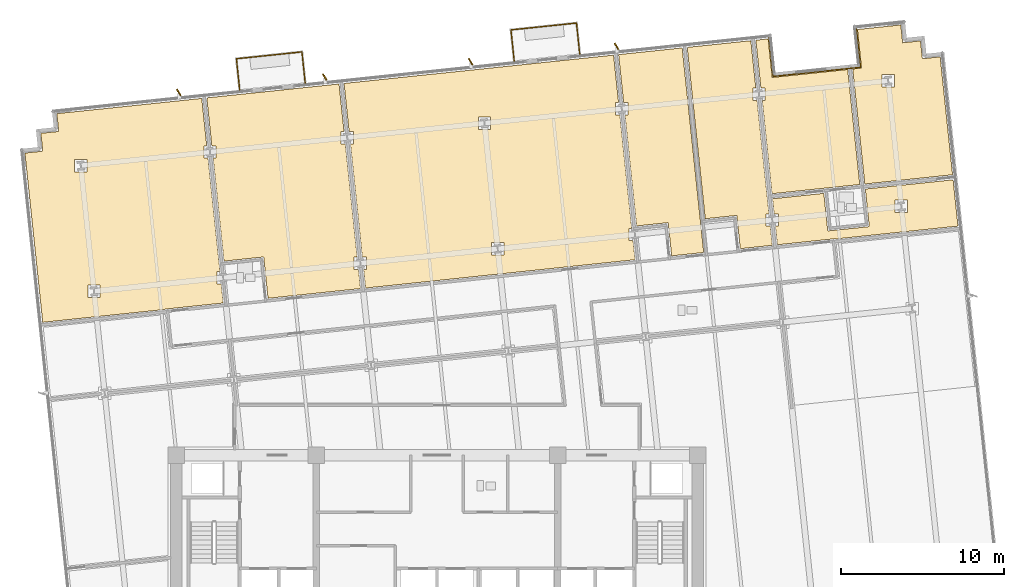
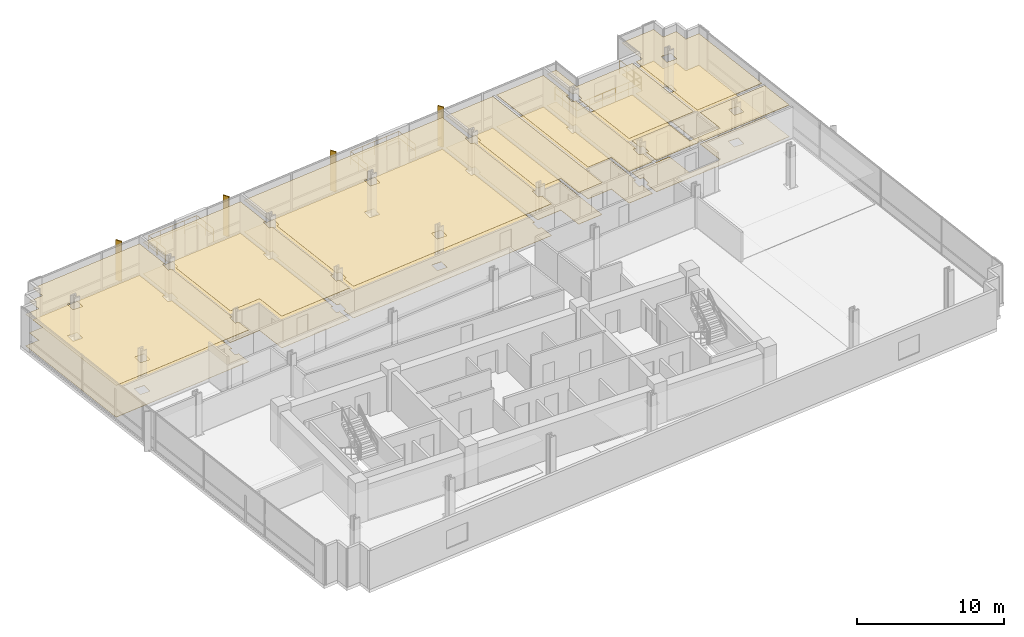
# One storey, part 19 of 20: 16 coverings, 9 railings, 4 shading devices.
"""IFC4 building model written with IfcOpenShell, lengths in metres."""

from ifc_helpers import new_model, si_unit, direction, frame, origin, origin_2d, place, context, subcontext, project, spatial, polyline, rectangle, circle, outline, extrude, material, layer, layer_set, type_object, element, save


model = new_model("IFC4")

# Units and contexts
model_context = context("Model", 3, precision=1e-05, world=origin(), true_north=direction((0.0, 1.0)))
body_context = subcontext(model_context, "Body", "Model", "MODEL_VIEW")
ifc_project = project(units=[si_unit("LENGTHUNIT", "METRE"), si_unit("AREAUNIT", "SQUARE_METRE"), si_unit("VOLUMEUNIT", "CUBIC_METRE"), si_unit("PLANEANGLEUNIT", "RADIAN"), si_unit("MASSUNIT", "GRAM", prefix="KILO")], contexts=[model_context])

# Site, building, storey
site_placement = place(None, origin())
site = spatial("IfcSite", under=ifc_project, at=site_placement, CompositionType="ELEMENT")
building_placement = place(site_placement, origin())
building = spatial("IfcBuilding", under=site, at=building_placement, Name="Solmavex Isthmus Hotel", CompositionType="ELEMENT")
storey_placement = place(building_placement, frame((0.0, 0.0, 109.800048828125)))
storey = spatial("IfcBuildingStorey", under=building, at=storey_placement, Name="L29", CompositionType="ELEMENT", Elevation=109.800048828125)

# Coverings
ifc_material_1 = material(Name="Gypsum plasterboard lining", Category="gypsum")
ifc_layer_1 = layer(ifc_material_1, 0.030029296875)
ifc_layer_set_1 = layer_set([ifc_layer_1], Name="Gypsum plasterboard lining")
covering_type_1 = type_object("IfcCoveringType", Name="COV-CEIL-GYP", PredefinedType="CEILING", material=ifc_layer_set_1)
covering_1_placement = place(storey_placement, frame((0.0, 0.0, 2.619873046875)))
element("IfcCovering", 1, at=covering_1_placement, inside=storey, type_object=covering_type_1, Name="Suspended Acoustic Ceiling L29-RM01", PredefinedType="CEILING", context=body_context, shape_type="SweptSolid", body=[
    extrude(outline(polyline([(-16.688232421875, 6.43505859375), (-16.690185546875, 6.455078125), (-13.10986328125, 6.831298828125), (-13.23291015625, 8.002197265625), (-13.4970703125, 8.002197265625), (-13.4970703125, 8.76220703125), (-13.31298828125, 8.76220703125), (-14.043212890625, 15.711669921875), (-14.307373046875, 15.711669921875), (-14.307373046875, 16.4716796875), (-14.123291015625, 16.4716796875), (-14.42919921875, 19.38232421875), (-22.49755859375, 18.5341796875), (-23.318115234375, 18.447998046875), (-23.203125, 17.35400390625), (-24.297119140625, 17.239013671875), (-24.18212890625, 16.14501953125), (-25.276123046875, 16.030029296875), (-25.18994140625, 15.20947265625), (-24.184814453125, 5.647216796875), (-16.688232421875, 6.43505859375)]), holes=[polyline([(-21.42138671875, 7.169189453125), (-21.42138671875, 7.92919921875), (-20.661376953125, 7.92919921875), (-20.661376953125, 7.169189453125), (-21.42138671875, 7.169189453125)]), polyline([(-22.231689453125, 14.878662109375), (-22.231689453125, 15.638671875), (-21.4716796875, 15.638671875), (-21.4716796875, 14.878662109375), (-22.231689453125, 14.878662109375)])]), origin(), (0.0, 0.0, 1.0), 0.030029296875),
])
covering_2_placement = place(storey_placement, frame((0.0, 0.0, 2.619873046875)))
element("IfcCovering", 2, at=covering_2_placement, inside=storey, type_object=covering_type_1, Name="Suspended Acoustic Ceiling L29-RM02", PredefinedType="CEILING", context=body_context, shape_type="SweptSolid", body=[
    extrude(outline(polyline([(-13.8115234375, 16.4716796875), (-13.54736328125, 16.4716796875), (-13.54736328125, 15.711669921875), (-13.731689453125, 15.711669921875), (-13.068115234375, 9.39990234375), (-10.631591796875, 9.656005859375), (-10.364990234375, 7.119873046875), (-4.6904296875, 7.71630859375), (-4.8134765625, 8.886962890625), (-5.077392578125, 8.886962890625), (-5.077392578125, 9.64697265625), (-4.893310546875, 9.64697265625), (-5.623779296875, 16.5966796875), (-5.8876953125, 16.5966796875), (-5.8876953125, 17.356689453125), (-5.70361328125, 17.356689453125), (-6.009521484375, 20.26708984375), (-14.120849609375, 19.41455078125), (-13.927978515625, 17.5810546875), (-13.8115234375, 16.4716796875)])), origin(), (0.0, 0.0, 1.0), 0.030029296875),
])
covering_3_placement = place(storey_placement, frame((0.0, 0.0, 2.619873046875)))
element("IfcCovering", 3, at=covering_3_placement, inside=storey, type_object=covering_type_1, Name="Suspended Acoustic Ceiling L29-RM03", PredefinedType="CEILING", context=body_context, shape_type="SweptSolid", body=[
    extrude(outline(polyline([(-4.58154296875, 9.64697265625), (-4.3173828125, 9.64697265625), (-4.3173828125, 8.886962890625), (-4.501708984375, 8.886962890625), (-4.382080078125, 7.748779296875), (6.9794921875, 8.94287109375), (9.28173828125, 9.184814453125), (12.14892578125, 9.486083984375), (12.02587890625, 10.656982421875), (11.76171875, 10.656982421875), (11.76171875, 11.4169921875), (11.946044921875, 11.4169921875), (11.215576171875, 18.366455078125), (10.951416015625, 18.366455078125), (10.951416015625, 19.12646484375), (11.1357421875, 19.12646484375), (10.829833984375, 22.037109375), (-5.701171875, 20.299560546875), (-5.391845703125, 17.356689453125), (-5.127685546875, 17.356689453125), (-5.127685546875, 16.5966796875), (-5.31201171875, 16.5966796875), (-4.58154296875, 9.64697265625)]), holes=[polyline([(3.34228515625, 9.77197265625), (3.34228515625, 10.531982421875), (4.10205078125, 10.531982421875), (4.10205078125, 9.77197265625), (3.34228515625, 9.77197265625)]), polyline([(2.53173828125, 17.4814453125), (2.53173828125, 18.241455078125), (3.291748046875, 18.241455078125), (3.291748046875, 17.4814453125), (2.53173828125, 17.4814453125)])]), origin(), (0.0, 0.0, 1.0), 0.030029296875),
])
covering_4_placement = place(storey_placement, frame((0.0, 0.0, 2.619873046875)))
element("IfcCovering", 4, at=covering_4_placement, inside=storey, type_object=covering_type_1, Name="Suspended Acoustic Ceiling L29-RM04", PredefinedType="CEILING", context=body_context, shape_type="SweptSolid", body=[
    extrude(outline(polyline([(11.447509765625, 19.12646484375), (11.71142578125, 19.12646484375), (11.71142578125, 18.366455078125), (11.52734375, 18.366455078125), (11.71142578125, 16.614501953125), (12.242919921875, 11.557373046875), (14.179443359375, 11.760986328125), (14.393798828125, 9.72216796875), (16.358642578125, 9.9287109375), (15.03955078125, 22.4794921875), (11.13818359375, 22.0693359375), (11.447509765625, 19.12646484375)])), origin(), (0.0, 0.0, 1.0), 0.030029296875),
])
covering_5_placement = place(storey_placement, frame((0.0, 0.0, 2.619873046875)))
element("IfcCovering", 5, at=covering_5_placement, inside=storey, type_object=covering_type_1, Name="Suspended Acoustic Ceiling L29-RM05", PredefinedType="CEILING", context=body_context, shape_type="SweptSolid", body=[
    extrude(outline(polyline([(19.63525390625, 19.25146484375), (19.37109375, 19.25146484375), (19.37109375, 20.011474609375), (19.555419921875, 20.011474609375), (19.24951171875, 22.921875), (15.347900390625, 22.511962890625), (16.452880859375, 11.999755859375), (18.38916015625, 12.203369140625), (18.603515625, 10.16455078125), (20.568603515625, 10.37109375), (20.445556640625, 11.541748046875), (20.181396484375, 11.541748046875), (20.181396484375, 12.3017578125), (20.36572265625, 12.3017578125), (19.63525390625, 19.25146484375)])), origin(), (0.0, 0.0, 1.0), 0.030029296875),
])
covering_6_placement = place(storey_placement, frame((0.0, 0.0, 2.619873046875)))
element("IfcCovering", 6, at=covering_6_placement, inside=storey, type_object=covering_type_1, Name="Suspended Acoustic Ceiling L29-SH06-LV", PredefinedType="CEILING", context=body_context, shape_type="SweptSolid", body=[
    extrude(outline(polyline([(23.726806640625, 13.556640625), (20.580078125, 13.22607421875), (20.67724609375, 12.3017578125), (20.94140625, 12.3017578125), (20.94140625, 11.541748046875), (20.75732421875, 11.541748046875), (20.876953125, 10.403564453125), (24.45703125, 10.77978515625), (24.459228515625, 10.760009765625), (31.955810546875, 11.5478515625), (31.6572265625, 14.39013671875), (26.27294921875, 13.82421875), (26.51513671875, 11.51904296875), (23.96923828125, 11.25146484375), (23.726806640625, 13.556640625)]), holes=[polyline([(28.105712890625, 12.374755859375), (28.105712890625, 13.134765625), (28.86572265625, 13.134765625), (28.86572265625, 12.374755859375), (28.105712890625, 12.374755859375)])]), origin(), (0.0, 0.0, 1.0), 0.030029296875),
])
covering_7_placement = place(storey_placement, frame((0.0, 0.0, 2.619873046875)))
element("IfcCovering", 7, at=covering_7_placement, inside=storey, type_object=covering_type_1, Name="Suspended Acoustic Ceiling L29-HB06", PredefinedType="CEILING", context=body_context, shape_type="SweptSolid", body=[
    extrude(outline(polyline([(19.866943359375, 20.011474609375), (20.131103515625, 20.011474609375), (20.131103515625, 19.25146484375), (19.947021484375, 19.25146484375), (20.5478515625, 13.5341796875), (25.93212890625, 14.10009765625), (25.19091796875, 21.1533203125), (20.560302734375, 20.666748046875), (20.3115234375, 23.03369140625), (19.5576171875, 22.954345703125), (19.866943359375, 20.011474609375)])), origin(), (0.0, 0.0, 1.0), 0.030029296875),
])
covering_8_placement = place(storey_placement, frame((0.0, 0.0, 2.619873046875)))
element("IfcCovering", 8, at=covering_8_placement, inside=storey, type_object=covering_type_1, Name="Suspended Acoustic Ceiling L29-HP06", PredefinedType="CEILING", context=body_context, shape_type="SweptSolid", body=[
    extrude(outline(polyline([(28.561767578125, 22.794677734375), (28.44677734375, 23.888671875), (27.626220703125, 23.802490234375), (25.791259765625, 23.609619140625), (26.0400390625, 21.24267578125), (25.4990234375, 21.185791015625), (26.240478515625, 14.132568359375), (31.624755859375, 14.698486328125), (30.950927734375, 21.110107421875), (30.86474609375, 21.9306640625), (29.770751953125, 21.815673828125), (29.65576171875, 22.90966796875), (28.561767578125, 22.794677734375)]), holes=[polyline([(27.29541015625, 20.84423828125), (28.055419921875, 20.84423828125), (28.055419921875, 20.084228515625), (27.29541015625, 20.084228515625), (27.29541015625, 20.84423828125)])]), origin(), (0.0, 0.0, 1.0), 0.030029296875),
])
ifc_material_2 = material(Name="Travertine natural stone", Category="masonry")
ifc_layer_2 = layer(ifc_material_2, 0.02490234375)
ifc_layer_set_2 = layer_set([ifc_layer_2], Name="Travertine natural stone")
covering_type_2 = type_object("IfcCoveringType", Name="COV-FLOR-STN", PredefinedType="FLOORING", material=ifc_layer_set_2)
covering_9_placement = place(storey_placement, origin())
element("IfcCovering", 9, at=covering_9_placement, inside=storey, type_object=covering_type_2, Name="Stone and Timber Floor Finish L29-RM01", PredefinedType="FLOORING", context=body_context, shape_type="SweptSolid", body=[
    extrude(outline(polyline([(-16.688232421875, 6.43505859375), (-16.690185546875, 6.455078125), (-13.10986328125, 6.831298828125), (-13.23291015625, 8.002197265625), (-13.4970703125, 8.002197265625), (-13.4970703125, 8.76220703125), (-13.31298828125, 8.76220703125), (-14.043212890625, 15.711669921875), (-14.307373046875, 15.711669921875), (-14.307373046875, 16.4716796875), (-14.123291015625, 16.4716796875), (-14.42919921875, 19.38232421875), (-22.49755859375, 18.5341796875), (-23.318115234375, 18.447998046875), (-23.203125, 17.35400390625), (-24.297119140625, 17.239013671875), (-24.18212890625, 16.14501953125), (-25.276123046875, 16.030029296875), (-25.18994140625, 15.20947265625), (-24.184814453125, 5.647216796875), (-16.688232421875, 6.43505859375)]), holes=[polyline([(-21.42138671875, 7.169189453125), (-21.42138671875, 7.92919921875), (-20.661376953125, 7.92919921875), (-20.661376953125, 7.169189453125), (-21.42138671875, 7.169189453125)]), polyline([(-22.231689453125, 14.878662109375), (-22.231689453125, 15.638671875), (-21.4716796875, 15.638671875), (-21.4716796875, 14.878662109375), (-22.231689453125, 14.878662109375)])]), origin(), (0.0, 0.0, 1.0), 0.02490234375),
])
covering_10_placement = place(storey_placement, origin())
element("IfcCovering", 10, at=covering_10_placement, inside=storey, type_object=covering_type_2, Name="Stone and Timber Floor Finish L29-RM02", PredefinedType="FLOORING", context=body_context, shape_type="SweptSolid", body=[
    extrude(outline(polyline([(-13.8115234375, 16.4716796875), (-13.54736328125, 16.4716796875), (-13.54736328125, 15.711669921875), (-13.731689453125, 15.711669921875), (-13.068115234375, 9.39990234375), (-10.631591796875, 9.656005859375), (-10.364990234375, 7.119873046875), (-4.6904296875, 7.71630859375), (-4.8134765625, 8.886962890625), (-5.077392578125, 8.886962890625), (-5.077392578125, 9.64697265625), (-4.893310546875, 9.64697265625), (-5.623779296875, 16.5966796875), (-5.8876953125, 16.5966796875), (-5.8876953125, 17.356689453125), (-5.70361328125, 17.356689453125), (-6.009521484375, 20.26708984375), (-14.120849609375, 19.41455078125), (-13.927978515625, 17.5810546875), (-13.8115234375, 16.4716796875)])), origin(), (0.0, 0.0, 1.0), 0.02490234375),
])
covering_11_placement = place(storey_placement, origin())
element("IfcCovering", 11, at=covering_11_placement, inside=storey, type_object=covering_type_2, Name="Stone and Timber Floor Finish L29-RM03", PredefinedType="FLOORING", context=body_context, shape_type="SweptSolid", body=[
    extrude(outline(polyline([(-4.58154296875, 9.64697265625), (-4.3173828125, 9.64697265625), (-4.3173828125, 8.886962890625), (-4.501708984375, 8.886962890625), (-4.382080078125, 7.748779296875), (6.9794921875, 8.94287109375), (9.28173828125, 9.184814453125), (12.14892578125, 9.486083984375), (12.02587890625, 10.656982421875), (11.76171875, 10.656982421875), (11.76171875, 11.4169921875), (11.946044921875, 11.4169921875), (11.215576171875, 18.366455078125), (10.951416015625, 18.366455078125), (10.951416015625, 19.12646484375), (11.1357421875, 19.12646484375), (10.829833984375, 22.037109375), (-5.701171875, 20.299560546875), (-5.391845703125, 17.356689453125), (-5.127685546875, 17.356689453125), (-5.127685546875, 16.5966796875), (-5.31201171875, 16.5966796875), (-4.58154296875, 9.64697265625)]), holes=[polyline([(3.34228515625, 9.77197265625), (3.34228515625, 10.531982421875), (4.10205078125, 10.531982421875), (4.10205078125, 9.77197265625), (3.34228515625, 9.77197265625)]), polyline([(2.53173828125, 17.4814453125), (2.53173828125, 18.241455078125), (3.291748046875, 18.241455078125), (3.291748046875, 17.4814453125), (2.53173828125, 17.4814453125)])]), origin(), (0.0, 0.0, 1.0), 0.02490234375),
])
covering_12_placement = place(storey_placement, origin())
element("IfcCovering", 12, at=covering_12_placement, inside=storey, type_object=covering_type_2, Name="Stone and Timber Floor Finish L29-RM04", PredefinedType="FLOORING", context=body_context, shape_type="SweptSolid", body=[
    extrude(outline(polyline([(11.447509765625, 19.12646484375), (11.71142578125, 19.12646484375), (11.71142578125, 18.366455078125), (11.52734375, 18.366455078125), (11.71142578125, 16.614501953125), (12.242919921875, 11.557373046875), (14.179443359375, 11.760986328125), (14.393798828125, 9.72216796875), (16.358642578125, 9.9287109375), (15.03955078125, 22.4794921875), (11.13818359375, 22.0693359375), (11.447509765625, 19.12646484375)])), origin(), (0.0, 0.0, 1.0), 0.02490234375),
])
covering_13_placement = place(storey_placement, origin())
element("IfcCovering", 13, at=covering_13_placement, inside=storey, type_object=covering_type_2, Name="Stone and Timber Floor Finish L29-RM05", PredefinedType="FLOORING", context=body_context, shape_type="SweptSolid", body=[
    extrude(outline(polyline([(19.63525390625, 19.25146484375), (19.37109375, 19.25146484375), (19.37109375, 20.011474609375), (19.555419921875, 20.011474609375), (19.24951171875, 22.921875), (15.347900390625, 22.511962890625), (16.452880859375, 11.999755859375), (18.38916015625, 12.203369140625), (18.603515625, 10.16455078125), (20.568603515625, 10.37109375), (20.445556640625, 11.541748046875), (20.181396484375, 11.541748046875), (20.181396484375, 12.3017578125), (20.36572265625, 12.3017578125), (19.63525390625, 19.25146484375)])), origin(), (0.0, 0.0, 1.0), 0.02490234375),
])
covering_14_placement = place(storey_placement, origin())
element("IfcCovering", 14, at=covering_14_placement, inside=storey, type_object=covering_type_2, Name="Stone and Timber Floor Finish L29-SH06-LV", PredefinedType="FLOORING", context=body_context, shape_type="SweptSolid", body=[
    extrude(outline(polyline([(23.726806640625, 13.556640625), (20.580078125, 13.22607421875), (20.67724609375, 12.3017578125), (20.94140625, 12.3017578125), (20.94140625, 11.541748046875), (20.75732421875, 11.541748046875), (20.876953125, 10.403564453125), (24.45703125, 10.77978515625), (24.459228515625, 10.760009765625), (31.955810546875, 11.5478515625), (31.6572265625, 14.39013671875), (26.27294921875, 13.82421875), (26.51513671875, 11.51904296875), (23.96923828125, 11.25146484375), (23.726806640625, 13.556640625)]), holes=[polyline([(28.105712890625, 12.374755859375), (28.105712890625, 13.134765625), (28.86572265625, 13.134765625), (28.86572265625, 12.374755859375), (28.105712890625, 12.374755859375)])]), origin(), (0.0, 0.0, 1.0), 0.02490234375),
])
covering_15_placement = place(storey_placement, origin())
element("IfcCovering", 15, at=covering_15_placement, inside=storey, type_object=covering_type_2, Name="Stone and Timber Floor Finish L29-HB06", PredefinedType="FLOORING", context=body_context, shape_type="SweptSolid", body=[
    extrude(outline(polyline([(19.866943359375, 20.011474609375), (20.131103515625, 20.011474609375), (20.131103515625, 19.25146484375), (19.947021484375, 19.25146484375), (20.5478515625, 13.5341796875), (25.93212890625, 14.10009765625), (25.19091796875, 21.1533203125), (20.560302734375, 20.666748046875), (20.3115234375, 23.03369140625), (19.5576171875, 22.954345703125), (19.866943359375, 20.011474609375)])), origin(), (0.0, 0.0, 1.0), 0.02490234375),
])
covering_16_placement = place(storey_placement, origin())
element("IfcCovering", 16, at=covering_16_placement, inside=storey, type_object=covering_type_2, Name="Stone and Timber Floor Finish L29-HP06", PredefinedType="FLOORING", context=body_context, shape_type="SweptSolid", body=[
    extrude(outline(polyline([(28.561767578125, 22.794677734375), (28.44677734375, 23.888671875), (27.626220703125, 23.802490234375), (25.791259765625, 23.609619140625), (26.0400390625, 21.24267578125), (25.4990234375, 21.185791015625), (26.240478515625, 14.132568359375), (31.624755859375, 14.698486328125), (30.950927734375, 21.110107421875), (30.86474609375, 21.9306640625), (29.770751953125, 21.815673828125), (29.65576171875, 22.90966796875), (28.561767578125, 22.794677734375)]), holes=[polyline([(27.29541015625, 20.84423828125), (28.055419921875, 20.84423828125), (28.055419921875, 20.084228515625), (27.29541015625, 20.084228515625), (27.29541015625, 20.84423828125)])]), origin(), (0.0, 0.0, 1.0), 0.02490234375),
])

# Railings
ifc_material_3 = material(Name="Clear low-E laminated glass", Category="glass")
ifc_layer_3 = layer(ifc_material_3, 0.080078125)
ifc_layer_set_3 = layer_set([ifc_layer_3], Name="Clear low-E laminated glass")
railing_type_1 = type_object("IfcRailingType", Name="RAIL-ATRIUM-1120", PredefinedType="BALUSTRADE", material=ifc_layer_set_3)
railing_1_placement = place(storey_placement, frame((20.345947265625, 23.2333984375, 0.0)))
element("IfcRailing", 17, at=railing_1_placement, inside=storey, type_object=railing_type_1, Name="Guardrail Balustrade L29-SGV-01", PredefinedType="BALUSTRADE", context=body_context, shape_type="SweptSolid", body=[
    extrude(circle(Radius=0.02392578125, at=origin_2d()), frame((0.0, 0.0, 1.1259765625), z_axis=(0.104528455675, -0.994521896166, 0.0), x_axis=(0.994521896166, 0.104528455675, 0.0)), (0.0, 0.0, 1.0), 2.520263671875),
    extrude(circle(Radius=0.02392578125, at=origin_2d()), frame((0.0, 0.0, 0.574951171875), z_axis=(0.104528455675, -0.994521896166, 0.0), x_axis=(0.994521896166, 0.104528455675, 0.0)), (0.0, 0.0, 1.0), 2.520263671875),
    extrude(circle(Radius=0.02099609375, at=origin_2d()), origin(), (0.0, 0.0, 1.0), 1.101806640625),
    extrude(circle(Radius=0.02099609375, at=origin_2d()), frame((0.087890625, -0.83544921875, 0.0)), (0.0, 0.0, 1.0), 1.101806640625),
    extrude(circle(Radius=0.02099609375, at=origin_2d()), frame((0.175537109375, -1.6708984375, 0.0)), (0.0, 0.0, 1.0), 1.101806640625),
    extrude(circle(Radius=0.02099609375, at=origin_2d()), frame((0.263427734375, -2.50634765625, 0.0)), (0.0, 0.0, 1.0), 1.101806640625),
])
railing_2_placement = place(storey_placement, frame((20.609375, 20.72705078125, 0.0)))
element("IfcRailing", 18, at=railing_2_placement, inside=storey, type_object=railing_type_1, Name="Guardrail Balustrade L29-SGV-02", PredefinedType="BALUSTRADE", context=body_context, shape_type="SweptSolid", body=[
    extrude(circle(Radius=0.02392578125, at=origin_2d()), frame((0.0, 0.0, 1.1259765625), z_axis=(0.994521791324, 0.104529453177, 0.0), x_axis=(-0.104529453177, 0.994521791324, 0.0)), (0.0, 0.0, 1.0), 5.39990234375),
    extrude(circle(Radius=0.02392578125, at=origin_2d()), frame((0.0, 0.0, 0.574951171875), z_axis=(0.994521791324, 0.104529453177, 0.0), x_axis=(-0.104529453177, 0.994521791324, 0.0)), (0.0, 0.0, 1.0), 5.39990234375),
    extrude(circle(Radius=0.02099609375, at=origin_2d()), origin(), (0.0, 0.0, 1.0), 1.101806640625),
    extrude(circle(Radius=0.02099609375, at=origin_2d()), frame((1.073974609375, 0.11279296875, 0.0)), (0.0, 0.0, 1.0), 1.101806640625),
    extrude(circle(Radius=0.02099609375, at=origin_2d()), frame((2.148193359375, 0.225830078125, 0.0)), (0.0, 0.0, 1.0), 1.101806640625),
    extrude(circle(Radius=0.02099609375, at=origin_2d()), frame((3.22216796875, 0.338623046875, 0.0)), (0.0, 0.0, 1.0), 1.101806640625),
    extrude(circle(Radius=0.02099609375, at=origin_2d()), frame((4.29638671875, 0.45166015625, 0.0)), (0.0, 0.0, 1.0), 1.101806640625),
    extrude(circle(Radius=0.02099609375, at=origin_2d()), frame((5.370361328125, 0.564453125, 0.0)), (0.0, 0.0, 1.0), 1.101806640625),
])
railing_3_placement = place(storey_placement, frame((25.979736328125, 21.29150390625, 0.0)))
element("IfcRailing", 19, at=railing_3_placement, inside=storey, type_object=railing_type_1, Name="Guardrail Balustrade L29-SGV-03", PredefinedType="BALUSTRADE", context=body_context, shape_type="SweptSolid", body=[
    extrude(circle(Radius=0.02392578125, at=origin_2d()), frame((0.0, 0.0, 1.1259765625), z_axis=(-0.104528455675, 0.994521896166, 0.0), x_axis=(-0.994521896166, -0.104528455675, 0.0)), (0.0, 0.0, 1.0), 2.520263671875),
    extrude(circle(Radius=0.02392578125, at=origin_2d()), frame((0.0, 0.0, 0.574951171875), z_axis=(-0.104528455675, 0.994521896166, 0.0), x_axis=(-0.994521896166, -0.104528455675, 0.0)), (0.0, 0.0, 1.0), 2.520263671875),
    extrude(circle(Radius=0.02099609375, at=origin_2d()), origin(), (0.0, 0.0, 1.0), 1.101806640625),
    extrude(circle(Radius=0.02099609375, at=origin_2d()), frame((-0.087890625, 0.83544921875, 0.0)), (0.0, 0.0, 1.0), 1.101806640625),
    extrude(circle(Radius=0.02099609375, at=origin_2d()), frame((-0.175537109375, 1.6708984375, 0.0)), (0.0, 0.0, 1.0), 1.101806640625),
    extrude(circle(Radius=0.02099609375, at=origin_2d()), frame((-0.263427734375, 2.50634765625, 0.0)), (0.0, 0.0, 1.0), 1.101806640625),
])
ifc_layer_4 = layer(ifc_material_3, 0.070068359375)
ifc_layer_set_4 = layer_set([ifc_layer_4], Name="Clear low-E laminated glass")
railing_type_2 = type_object("IfcRailingType", Name="RAIL-GUARD-1100", PredefinedType="BALUSTRADE", material=ifc_layer_set_4)
railing_4_placement = place(storey_placement, frame((-12.102783203125, 19.9033203125, 0.0)))
element("IfcRailing", 20, at=railing_4_placement, inside=storey, type_object=railing_type_2, Name="Guardrail Balustrade L29-BAL1-01", PredefinedType="BALUSTRADE", context=body_context, shape_type="SweptSolid", body=[
    extrude(circle(Radius=0.02392578125, at=origin_2d()), frame((0.0, 0.0, 1.09619140625), z_axis=(-0.104525919671, 0.994522162708, 0.0), x_axis=(-0.994522162708, -0.104525919671, 0.0)), (0.0, 0.0, 1.0), 1.919921875),
    extrude(circle(Radius=0.02392578125, at=origin_2d()), frame((0.0, 0.0, 0.56005859375), z_axis=(-0.104525919671, 0.994522162708, 0.0), x_axis=(-0.994522162708, -0.104525919671, 0.0)), (0.0, 0.0, 1.0), 1.919921875),
    extrude(circle(Radius=0.02099609375, at=origin_2d()), origin(), (0.0, 0.0, 1.0), 1.072021484375),
    extrude(circle(Radius=0.02099609375, at=origin_2d()), frame((-0.100341796875, 0.95458984375, 0.0)), (0.0, 0.0, 1.0), 1.072021484375),
    extrude(circle(Radius=0.02099609375, at=origin_2d()), frame((-0.20068359375, 1.909423828125, 0.0)), (0.0, 0.0, 1.0), 1.072021484375),
])
railing_5_placement = place(storey_placement, frame((-12.303466796875, 21.812744140625, 0.0)))
element("IfcRailing", 21, at=railing_5_placement, inside=storey, type_object=railing_type_2, Name="Guardrail Balustrade L29-BAL1-02", PredefinedType="BALUSTRADE", context=body_context, shape_type="SweptSolid", body=[
    extrude(circle(Radius=0.02392578125, at=origin_2d()), frame((0.0, 0.0, 1.09619140625), z_axis=(0.994520013058, 0.104546370699, 0.0), x_axis=(-0.104546370699, 0.994520013058, 0.0)), (0.0, 0.0, 1.0), 4.0400390625),
    extrude(circle(Radius=0.02392578125, at=origin_2d()), frame((0.0, 0.0, 0.56005859375), z_axis=(0.994520013058, 0.104546370699, 0.0), x_axis=(-0.104546370699, 0.994520013058, 0.0)), (0.0, 0.0, 1.0), 4.0400390625),
    extrude(circle(Radius=0.02099609375, at=origin_2d()), origin(), (0.0, 0.0, 1.0), 1.072021484375),
    extrude(circle(Radius=0.02099609375, at=origin_2d()), frame((1.00439453125, 0.10546875, 0.0)), (0.0, 0.0, 1.0), 1.072021484375),
    extrude(circle(Radius=0.02099609375, at=origin_2d()), frame((2.0087890625, 0.211181640625, 0.0)), (0.0, 0.0, 1.0), 1.072021484375),
    extrude(circle(Radius=0.02099609375, at=origin_2d()), frame((3.013427734375, 0.31689453125, 0.0)), (0.0, 0.0, 1.0), 1.072021484375),
    extrude(circle(Radius=0.02099609375, at=origin_2d()), frame((4.017822265625, 0.42236328125, 0.0)), (0.0, 0.0, 1.0), 1.072021484375),
])
railing_6_placement = place(storey_placement, frame((-8.28564453125, 22.235107421875, 0.0)))
element("IfcRailing", 22, at=railing_6_placement, inside=storey, type_object=railing_type_2, Name="Guardrail Balustrade L29-BAL1-03", PredefinedType="BALUSTRADE", context=body_context, shape_type="SweptSolid", body=[
    extrude(circle(Radius=0.02392578125, at=origin_2d()), frame((0.0, 0.0, 1.09619140625), z_axis=(0.104512702575, -0.994523551758, 0.0), x_axis=(0.994523551758, 0.104512702575, 0.0)), (0.0, 0.0, 1.0), 1.920166015625),
    extrude(circle(Radius=0.02392578125, at=origin_2d()), frame((0.0, 0.0, 0.56005859375), z_axis=(0.104512702575, -0.994523551758, 0.0), x_axis=(0.994523551758, 0.104512702575, 0.0)), (0.0, 0.0, 1.0), 1.920166015625),
    extrude(circle(Radius=0.02099609375, at=origin_2d()), origin(), (0.0, 0.0, 1.0), 1.072021484375),
    extrude(circle(Radius=0.02099609375, at=origin_2d()), frame((0.100341796875, -0.954833984375, 0.0)), (0.0, 0.0, 1.0), 1.072021484375),
    extrude(circle(Radius=0.02099609375, at=origin_2d()), frame((0.20068359375, -1.90966796875, 0.0)), (0.0, 0.0, 1.0), 1.072021484375),
])
railing_7_placement = place(storey_placement, frame((4.736328125, 21.673095703125, 0.0)))
element("IfcRailing", 23, at=railing_7_placement, inside=storey, type_object=railing_type_2, Name="Guardrail Balustrade L29-BAL2-01", PredefinedType="BALUSTRADE", context=body_context, shape_type="SweptSolid", body=[
    extrude(circle(Radius=0.02392578125, at=origin_2d()), frame((0.0, 0.0, 1.09619140625), z_axis=(-0.104525919671, 0.994522162708, 0.0), x_axis=(-0.994522162708, -0.104525919671, 0.0)), (0.0, 0.0, 1.0), 1.919921875),
    extrude(circle(Radius=0.02392578125, at=origin_2d()), frame((0.0, 0.0, 0.56005859375), z_axis=(-0.104525919671, 0.994522162708, 0.0), x_axis=(-0.994522162708, -0.104525919671, 0.0)), (0.0, 0.0, 1.0), 1.919921875),
    extrude(circle(Radius=0.02099609375, at=origin_2d()), origin(), (0.0, 0.0, 1.0), 1.072021484375),
    extrude(circle(Radius=0.02099609375, at=origin_2d()), frame((-0.100341796875, 0.95458984375, 0.0)), (0.0, 0.0, 1.0), 1.072021484375),
    extrude(circle(Radius=0.02099609375, at=origin_2d()), frame((-0.20068359375, 1.909423828125, 0.0)), (0.0, 0.0, 1.0), 1.072021484375),
])
railing_8_placement = place(storey_placement, frame((4.53564453125, 23.58251953125, 0.0)))
element("IfcRailing", 24, at=railing_8_placement, inside=storey, type_object=railing_type_2, Name="Guardrail Balustrade L29-BAL2-02", PredefinedType="BALUSTRADE", context=body_context, shape_type="SweptSolid", body=[
    extrude(circle(Radius=0.02392578125, at=origin_2d()), frame((0.0, 0.0, 1.09619140625), z_axis=(0.994520673511, 0.10454008781, 0.0), x_axis=(-0.10454008781, 0.994520673511, 0.0)), (0.0, 0.0, 1.0), 4.040283203125),
    extrude(circle(Radius=0.02392578125, at=origin_2d()), frame((0.0, 0.0, 0.56005859375), z_axis=(0.994520673511, 0.10454008781, 0.0), x_axis=(-0.10454008781, 0.994520673511, 0.0)), (0.0, 0.0, 1.0), 4.040283203125),
    extrude(circle(Radius=0.02099609375, at=origin_2d()), origin(), (0.0, 0.0, 1.0), 1.072021484375),
    extrude(circle(Radius=0.02099609375, at=origin_2d()), frame((1.00439453125, 0.10546875, 0.0)), (0.0, 0.0, 1.0), 1.072021484375),
    extrude(circle(Radius=0.02099609375, at=origin_2d()), frame((2.009033203125, 0.211181640625, 0.0)), (0.0, 0.0, 1.0), 1.072021484375),
    extrude(circle(Radius=0.02099609375, at=origin_2d()), frame((3.013671875, 0.31689453125, 0.0)), (0.0, 0.0, 1.0), 1.072021484375),
    extrude(circle(Radius=0.02099609375, at=origin_2d()), frame((4.01806640625, 0.42236328125, 0.0)), (0.0, 0.0, 1.0), 1.072021484375),
])
railing_9_placement = place(storey_placement, frame((8.5537109375, 24.0048828125, 0.0)))
element("IfcRailing", 25, at=railing_9_placement, inside=storey, type_object=railing_type_2, Name="Guardrail Balustrade L29-BAL2-03", PredefinedType="BALUSTRADE", context=body_context, shape_type="SweptSolid", body=[
    extrude(circle(Radius=0.02392578125, at=origin_2d()), frame((0.0, 0.0, 1.09619140625), z_axis=(0.104525919671, -0.994522162708, 0.0), x_axis=(0.994522162708, 0.104525919671, 0.0)), (0.0, 0.0, 1.0), 1.919921875),
    extrude(circle(Radius=0.02392578125, at=origin_2d()), frame((0.0, 0.0, 0.56005859375), z_axis=(0.104525919671, -0.994522162708, 0.0), x_axis=(0.994522162708, 0.104525919671, 0.0)), (0.0, 0.0, 1.0), 1.919921875),
    extrude(circle(Radius=0.02099609375, at=origin_2d()), origin(), (0.0, 0.0, 1.0), 1.072021484375),
    extrude(circle(Radius=0.02099609375, at=origin_2d()), frame((0.100341796875, -0.95458984375, 0.0)), (0.0, 0.0, 1.0), 1.072021484375),
    extrude(circle(Radius=0.02099609375, at=origin_2d()), frame((0.20068359375, -1.909423828125, 0.0)), (0.0, 0.0, 1.0), 1.072021484375),
])

# Shading devices
ifc_material_4 = material(Name="Aluminium alloy 6063-T6", Category="aluminium")
shading_device_type = type_object("IfcShadingDeviceType", Name="SHD-FIN-BRONZE", PredefinedType="USERDEFINED", material=ifc_material_4)
for number, where, z_axis, x_axis, name in (
    (26, (-15.83837890625, 19.751953125, -0.14013671875), (0.0, 0.0, 1.0), (-0.529919264233, 0.848048096156, 0.0), "Anodised Aluminium Solar Fin L29-N1"),
    (27, (-6.8876953125, 20.692626953125, -0.14013671875), (0.0, 0.0, 1.0), (-0.529919264233, 0.848048096156, 0.0), "Anodised Aluminium Solar Fin L29-N2"),
    (28, (2.06298828125, 21.633544921875, -0.14013671875), (0.0, 0.0, 1.0), (-0.529919264233, 0.848048096156, 0.0), "Anodised Aluminium Solar Fin L29-N3"),
    (29, (11.013671875, 22.57421875, -0.14013671875), (0.0, 0.0, 1.0), (-0.529919264233, 0.848048096156, 0.0), "Anodised Aluminium Solar Fin L29-N4"),
):
    element("IfcShadingDevice", number, at=place(storey_placement, frame(where, z_axis=z_axis, x_axis=x_axis)), inside=storey, type_object=shading_device_type, Name=name, ObjectType="SOLAR_FIN", PredefinedType="USERDEFINED", context=body_context, shape_type="SweptSolid", body=[
        extrude(rectangle(XDim=0.449951171875, YDim=0.080078125, at=origin_2d()), origin(), (0.0, 0.0, 1.0), 3.330078125),
    ])

save(model, "model.ifc")
